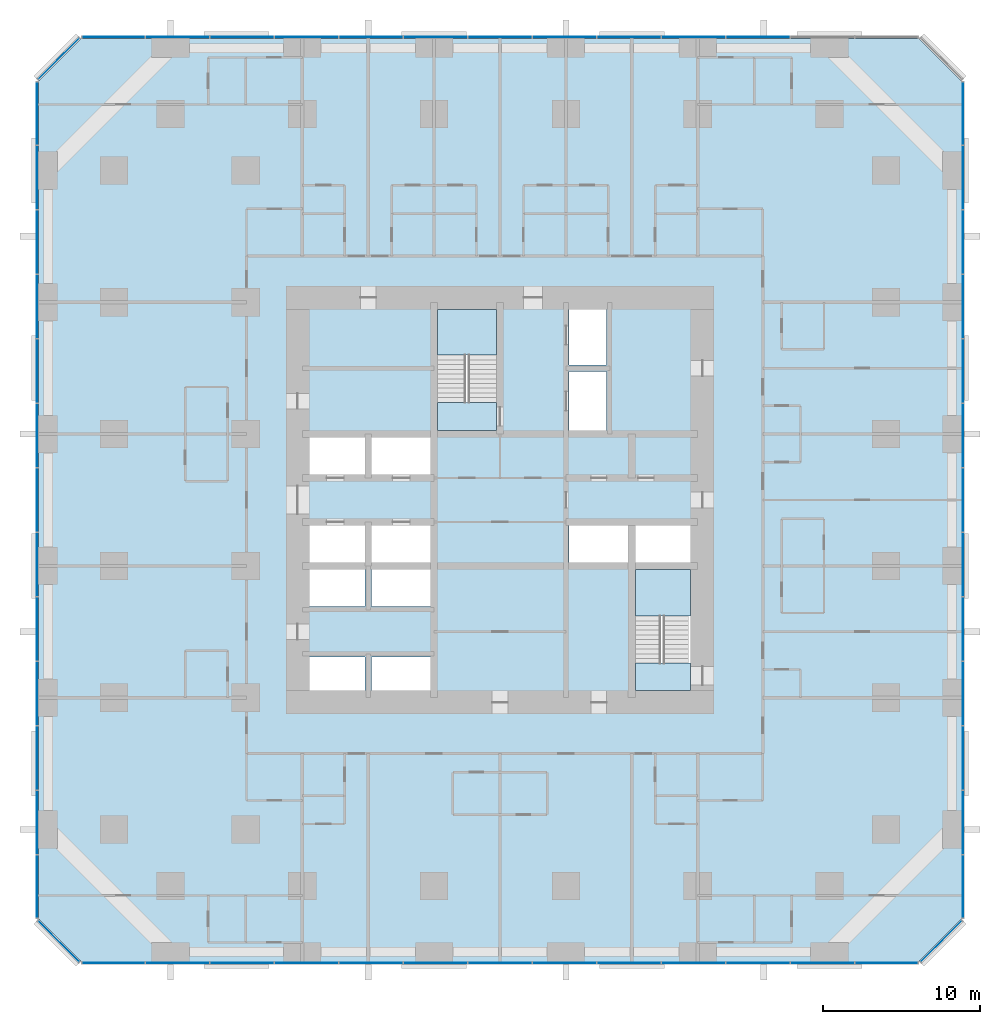
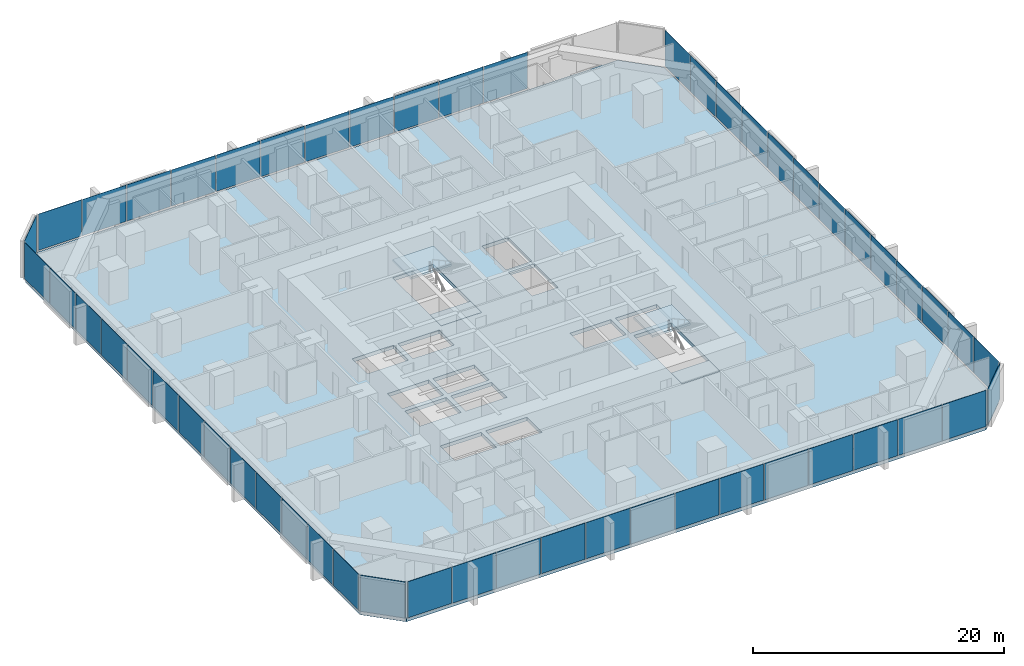
# One storey, part 9 of 17: 53 plates, 5 slabs, 9 elements without a shape of their own.
"""IFC4 building model written with IfcOpenShell, lengths in metres."""

from ifc_helpers import new_model, si_unit, direction, frame, origin, origin_2d, place, context, subcontext, project, spatial, polyline, rectangle, outline, extrude, material, layer, layer_set, type_object, element, aggregate, save


model = new_model("IFC4")

# Units and contexts
model_context = context("Model", 3, precision=1e-05, world=origin(), true_north=direction((0.0, 1.0)))
body_context = subcontext(model_context, "Body", "Model", "MODEL_VIEW")
ifc_project = project(units=[si_unit("LENGTHUNIT", "METRE"), si_unit("AREAUNIT", "SQUARE_METRE"), si_unit("VOLUMEUNIT", "CUBIC_METRE"), si_unit("PLANEANGLEUNIT", "RADIAN"), si_unit("MASSUNIT", "GRAM", prefix="KILO")], contexts=[model_context])

# Site, building, storey
site_placement = place(None, origin())
site = spatial("IfcSite", under=ifc_project, at=site_placement, CompositionType="ELEMENT")
building_placement = place(site_placement, origin())
building = spatial("IfcBuilding", under=site, at=building_placement, Name="Dunama Terrace Hotel", CompositionType="ELEMENT")
storey_placement = place(building_placement, frame((0.0, 0.0, 63.0)))
storey = spatial("IfcBuildingStorey", under=building, at=storey_placement, Name="L15", CompositionType="ELEMENT", Elevation=63.0)

# Curtain wall, plates
ifc_material_1 = material(Name="Aluminium curtain wall system", Category="aluminium")
curtain_wall_type = type_object("IfcCurtainWallType", Name="Unitised fritted glass wall CW-A", PredefinedType="NOTDEFINED", material=ifc_material_1)
curtain_wall_1_placement = place(storey_placement, origin())
curtain_wall_1 = element("IfcCurtainWall", 1, at=curtain_wall_1_placement, inside=storey, type_object=curtain_wall_type, Name="Unitised fritted glass wall CW-A L15", PredefinedType="NOTDEFINED")
ifc_material_2 = material(Name="Laminated glass", Category="glass")
ifc_layer_1 = layer(ifc_material_2, 0.030029296875)
ifc_layer_set_1 = layer_set([ifc_layer_1], Name="CWA clear glass panel")
plate_type_1 = type_object("IfcPlateType", Name="CWA clear glass panel", PredefinedType="CURTAIN_PANEL", material=ifc_layer_set_1)
plate_1_placement = place(storey_placement, frame((4.77001953125, -0.10009765625, 0.074951171875), z_axis=(0.0, 0.0, 1.0), x_axis=(1.0, 0.0, 0.0)))
plate_1 = element("IfcPlate", 2, at=plate_1_placement, type_object=plate_type_1, Name="CWA clear glass panel", PredefinedType="CURTAIN_PANEL", context=body_context, shape_type="SweptSolid", body=[
    extrude(rectangle(XDim=4.01025390625, YDim=0.030029296875, at=origin_2d()), origin(), (0.0, 0.0, 1.0), 3.52490234375),
])
plate_2_placement = place(storey_placement, frame((17.076904296875, -0.10009765625, 0.074951171875), z_axis=(0.0, 0.0, 1.0), x_axis=(1.0, 0.0, 0.0)))
plate_2 = element("IfcPlate", 3, at=plate_2_placement, type_object=plate_type_1, Name="CWA clear glass panel", PredefinedType="CURTAIN_PANEL", context=body_context, shape_type="SweptSolid", body=[
    extrude(rectangle(XDim=4.042724609375, YDim=0.030029296875, at=origin_2d()), origin(), (0.0, 0.0, 1.0), 3.52490234375),
])
plate_3_placement = place(storey_placement, frame((29.39990234375, -0.10009765625, 0.074951171875), z_axis=(0.0, 0.0, 1.0), x_axis=(1.0, 0.0, 0.0)))
plate_3 = element("IfcPlate", 4, at=plate_3_placement, type_object=plate_type_1, Name="CWA clear glass panel", PredefinedType="CURTAIN_PANEL", context=body_context, shape_type="SweptSolid", body=[
    extrude(rectangle(XDim=4.042724609375, YDim=0.030029296875, at=origin_2d()), origin(), (0.0, 0.0, 1.0), 3.52490234375),
])
plate_4_placement = place(storey_placement, frame((41.722900390625, -0.10009765625, 0.074951171875), z_axis=(0.0, 0.0, 1.0), x_axis=(1.0, 0.0, 0.0)))
plate_4 = element("IfcPlate", 5, at=plate_4_placement, type_object=plate_type_1, Name="CWA clear glass panel", PredefinedType="CURTAIN_PANEL", context=body_context, shape_type="SweptSolid", body=[
    extrude(rectangle(XDim=4.042724609375, YDim=0.030029296875, at=origin_2d()), origin(), (0.0, 0.0, 1.0), 3.52490234375),
])
plate_5_placement = place(storey_placement, frame((54.030029296875, -0.10009765625, 0.074951171875), z_axis=(0.0, 0.0, 1.0), x_axis=(1.0, 0.0, 0.0)))
plate_5 = element("IfcPlate", 6, at=plate_5_placement, type_object=plate_type_1, Name="CWA clear glass panel", PredefinedType="CURTAIN_PANEL", context=body_context, shape_type="SweptSolid", body=[
    extrude(rectangle(XDim=4.01025390625, YDim=0.030029296875, at=origin_2d()), origin(), (0.0, 0.0, 1.0), 3.52490234375),
])

curtain_wall_2_placement = place(storey_placement, origin())
curtain_wall_2 = element("IfcCurtainWall", 7, at=curtain_wall_2_placement, inside=storey, type_object=curtain_wall_type, Name="Unitised fritted glass wall CW-A L15", PredefinedType="NOTDEFINED")
plate_6_placement = place(storey_placement, frame((58.89990234375, 8.862060546875, 0.074951171875), z_axis=(0.0, 0.0, 1.0), x_axis=(0.0, 1.0, 0.0)))
plate_6 = element("IfcPlate", 8, at=plate_6_placement, type_object=plate_type_1, Name="CWA clear glass panel", PredefinedType="CURTAIN_PANEL", context=body_context, shape_type="SweptSolid", body=[
    extrude(rectangle(XDim=4.042724609375, YDim=0.030029296875, at=origin_2d()), origin(), (0.0, 0.0, 1.0), 3.52490234375),
])
plate_7_placement = place(storey_placement, frame((58.89990234375, 21.18505859375, 0.074951171875), z_axis=(0.0, 0.0, 1.0), x_axis=(0.0, 1.0, 0.0)))
plate_7 = element("IfcPlate", 9, at=plate_7_placement, type_object=plate_type_1, Name="CWA clear glass panel", PredefinedType="CURTAIN_PANEL", context=body_context, shape_type="SweptSolid", body=[
    extrude(rectangle(XDim=4.042724609375, YDim=0.030029296875, at=origin_2d()), origin(), (0.0, 0.0, 1.0), 3.52490234375),
])
plate_8_placement = place(storey_placement, frame((58.89990234375, 33.508056640625, 0.074951171875), z_axis=(0.0, 0.0, 1.0), x_axis=(0.0, 1.0, 0.0)))
plate_8 = element("IfcPlate", 10, at=plate_8_placement, type_object=plate_type_1, Name="CWA clear glass panel", PredefinedType="CURTAIN_PANEL", context=body_context, shape_type="SweptSolid", body=[
    extrude(rectangle(XDim=4.042724609375, YDim=0.030029296875, at=origin_2d()), origin(), (0.0, 0.0, 1.0), 3.52490234375),
])
plate_9_placement = place(storey_placement, frame((58.89990234375, 45.8310546875, 0.074951171875), z_axis=(0.0, 0.0, 1.0), x_axis=(0.0, 1.0, 0.0)))
plate_9 = element("IfcPlate", 11, at=plate_9_placement, type_object=plate_type_1, Name="CWA clear glass panel", PredefinedType="CURTAIN_PANEL", context=body_context, shape_type="SweptSolid", body=[
    extrude(rectangle(XDim=4.042724609375, YDim=0.030029296875, at=origin_2d()), origin(), (0.0, 0.0, 1.0), 3.52490234375),
])

curtain_wall_3_placement = place(storey_placement, origin())
curtain_wall_3 = element("IfcCurtainWall", 12, at=curtain_wall_3_placement, inside=storey, type_object=curtain_wall_type, Name="Unitised fritted glass wall CW-A L15", PredefinedType="NOTDEFINED")
plate_10_placement = place(storey_placement, frame((45.8310546875, 58.89990234375, 0.074951171875), z_axis=(0.0, 0.0, 1.0), x_axis=(-1.0, 0.0, 0.0)))
plate_10 = element("IfcPlate", 13, at=plate_10_placement, type_object=plate_type_1, Name="CWA clear glass panel", PredefinedType="CURTAIN_PANEL", context=body_context, shape_type="SweptSolid", body=[
    extrude(rectangle(XDim=4.042724609375, YDim=0.030029296875, at=origin_2d()), origin(), (0.0, 0.0, 1.0), 3.52490234375),
])
plate_11_placement = place(storey_placement, frame((33.508056640625, 58.89990234375, 0.074951171875), z_axis=(0.0, 0.0, 1.0), x_axis=(-1.0, 0.0, 0.0)))
plate_11 = element("IfcPlate", 14, at=plate_11_placement, type_object=plate_type_1, Name="CWA clear glass panel", PredefinedType="CURTAIN_PANEL", context=body_context, shape_type="SweptSolid", body=[
    extrude(rectangle(XDim=4.042724609375, YDim=0.030029296875, at=origin_2d()), origin(), (0.0, 0.0, 1.0), 3.52490234375),
])
plate_12_placement = place(storey_placement, frame((21.18505859375, 58.89990234375, 0.074951171875), z_axis=(0.0, 0.0, 1.0), x_axis=(-1.0, 0.0, 0.0)))
plate_12 = element("IfcPlate", 15, at=plate_12_placement, type_object=plate_type_1, Name="CWA clear glass panel", PredefinedType="CURTAIN_PANEL", context=body_context, shape_type="SweptSolid", body=[
    extrude(rectangle(XDim=4.042724609375, YDim=0.030029296875, at=origin_2d()), origin(), (0.0, 0.0, 1.0), 3.52490234375),
])
plate_13_placement = place(storey_placement, frame((8.862060546875, 58.89990234375, 0.074951171875), z_axis=(0.0, 0.0, 1.0), x_axis=(-1.0, 0.0, 0.0)))
plate_13 = element("IfcPlate", 16, at=plate_13_placement, type_object=plate_type_1, Name="CWA clear glass panel", PredefinedType="CURTAIN_PANEL", context=body_context, shape_type="SweptSolid", body=[
    extrude(rectangle(XDim=4.042724609375, YDim=0.030029296875, at=origin_2d()), origin(), (0.0, 0.0, 1.0), 3.52490234375),
])

curtain_wall_4_placement = place(storey_placement, origin())
curtain_wall_4 = element("IfcCurtainWall", 17, at=curtain_wall_4_placement, inside=storey, type_object=curtain_wall_type, Name="Unitised fritted glass wall CW-A L15", PredefinedType="NOTDEFINED")
plate_14_placement = place(storey_placement, frame((-0.10009765625, 54.030029296875, 0.074951171875), z_axis=(0.0, 0.0, 1.0), x_axis=(0.0, -1.0, 0.0)))
plate_14 = element("IfcPlate", 18, at=plate_14_placement, type_object=plate_type_1, Name="CWA clear glass panel", PredefinedType="CURTAIN_PANEL", context=body_context, shape_type="SweptSolid", body=[
    extrude(rectangle(XDim=4.01025390625, YDim=0.030029296875, at=origin_2d()), origin(), (0.0, 0.0, 1.0), 3.52490234375),
])
plate_15_placement = place(storey_placement, frame((-0.10009765625, 41.722900390625, 0.074951171875), z_axis=(0.0, 0.0, 1.0), x_axis=(0.0, -1.0, 0.0)))
plate_15 = element("IfcPlate", 19, at=plate_15_placement, type_object=plate_type_1, Name="CWA clear glass panel", PredefinedType="CURTAIN_PANEL", context=body_context, shape_type="SweptSolid", body=[
    extrude(rectangle(XDim=4.042724609375, YDim=0.030029296875, at=origin_2d()), origin(), (0.0, 0.0, 1.0), 3.52490234375),
])
plate_16_placement = place(storey_placement, frame((-0.10009765625, 29.39990234375, 0.074951171875), z_axis=(0.0, 0.0, 1.0), x_axis=(0.0, -1.0, 0.0)))
plate_16 = element("IfcPlate", 20, at=plate_16_placement, type_object=plate_type_1, Name="CWA clear glass panel", PredefinedType="CURTAIN_PANEL", context=body_context, shape_type="SweptSolid", body=[
    extrude(rectangle(XDim=4.042724609375, YDim=0.030029296875, at=origin_2d()), origin(), (0.0, 0.0, 1.0), 3.52490234375),
])
plate_17_placement = place(storey_placement, frame((-0.10009765625, 17.076904296875, 0.074951171875), z_axis=(0.0, 0.0, 1.0), x_axis=(0.0, -1.0, 0.0)))
plate_17 = element("IfcPlate", 21, at=plate_17_placement, type_object=plate_type_1, Name="CWA clear glass panel", PredefinedType="CURTAIN_PANEL", context=body_context, shape_type="SweptSolid", body=[
    extrude(rectangle(XDim=4.042724609375, YDim=0.030029296875, at=origin_2d()), origin(), (0.0, 0.0, 1.0), 3.52490234375),
])
plate_18_placement = place(storey_placement, frame((-0.10009765625, 4.77001953125, 0.074951171875), z_axis=(0.0, 0.0, 1.0), x_axis=(0.0, -1.0, 0.0)))
plate_18 = element("IfcPlate", 22, at=plate_18_placement, type_object=plate_type_1, Name="CWA clear glass panel", PredefinedType="CURTAIN_PANEL", context=body_context, shape_type="SweptSolid", body=[
    extrude(rectangle(XDim=4.01025390625, YDim=0.030029296875, at=origin_2d()), origin(), (0.0, 0.0, 1.0), 3.52490234375),
])

# Plate
ifc_material_3 = material(Name="Fritted laminated glass", Category="glass")
ifc_layer_2 = layer(ifc_material_3, 0.030029296875)
ifc_layer_set_2 = layer_set([ifc_layer_2], Name="CWA fritted glass panel")
plate_type_2 = type_object("IfcPlateType", Name="CWA fritted glass panel", PredefinedType="CURTAIN_PANEL", material=ifc_layer_set_2)
plate_19_placement = place(storey_placement, frame((12.968994140625, -0.10009765625, 0.074951171875), z_axis=(0.0, 0.0, 1.0), x_axis=(1.0, 0.0, 0.0)))
plate_19 = element("IfcPlate", 23, at=plate_19_placement, type_object=plate_type_2, Name="CWA fritted glass panel", PredefinedType="CURTAIN_PANEL", context=body_context, shape_type="SweptSolid", body=[
    extrude(rectangle(XDim=4.042724609375, YDim=0.030029296875, at=origin_2d()), origin(), (0.0, 0.0, 1.0), 3.52490234375),
])

plate_20_placement = place(storey_placement, frame((25.2919921875, -0.10009765625, 0.074951171875), z_axis=(0.0, 0.0, 1.0), x_axis=(1.0, 0.0, 0.0)))
plate_20 = element("IfcPlate", 24, at=plate_20_placement, type_object=plate_type_2, Name="CWA fritted glass panel", PredefinedType="CURTAIN_PANEL", context=body_context, shape_type="SweptSolid", body=[
    extrude(rectangle(XDim=4.042724609375, YDim=0.030029296875, at=origin_2d()), origin(), (0.0, 0.0, 1.0), 3.52490234375),
])

plate_21_placement = place(storey_placement, frame((37.614990234375, -0.10009765625, 0.074951171875), z_axis=(0.0, 0.0, 1.0), x_axis=(1.0, 0.0, 0.0)))
plate_21 = element("IfcPlate", 25, at=plate_21_placement, type_object=plate_type_2, Name="CWA fritted glass panel", PredefinedType="CURTAIN_PANEL", context=body_context, shape_type="SweptSolid", body=[
    extrude(rectangle(XDim=4.042724609375, YDim=0.030029296875, at=origin_2d()), origin(), (0.0, 0.0, 1.0), 3.52490234375),
])

plate_22_placement = place(storey_placement, frame((49.93798828125, -0.10009765625, 0.074951171875), z_axis=(0.0, 0.0, 1.0), x_axis=(1.0, 0.0, 0.0)))
plate_22 = element("IfcPlate", 26, at=plate_22_placement, type_object=plate_type_2, Name="CWA fritted glass panel", PredefinedType="CURTAIN_PANEL", context=body_context, shape_type="SweptSolid", body=[
    extrude(rectangle(XDim=4.042724609375, YDim=0.030029296875, at=origin_2d()), origin(), (0.0, 0.0, 1.0), 3.52490234375),
])

plate_23_placement = place(storey_placement, frame((58.89990234375, 4.77001953125, 0.074951171875), z_axis=(0.0, 0.0, 1.0), x_axis=(0.0, 1.0, 0.0)))
plate_23 = element("IfcPlate", 27, at=plate_23_placement, type_object=plate_type_2, Name="CWA fritted glass panel", PredefinedType="CURTAIN_PANEL", context=body_context, shape_type="SweptSolid", body=[
    extrude(rectangle(XDim=4.01025390625, YDim=0.030029296875, at=origin_2d()), origin(), (0.0, 0.0, 1.0), 3.52490234375),
])

plate_24_placement = place(storey_placement, frame((58.89990234375, 17.076904296875, 0.074951171875), z_axis=(0.0, 0.0, 1.0), x_axis=(0.0, 1.0, 0.0)))
plate_24 = element("IfcPlate", 28, at=plate_24_placement, type_object=plate_type_2, Name="CWA fritted glass panel", PredefinedType="CURTAIN_PANEL", context=body_context, shape_type="SweptSolid", body=[
    extrude(rectangle(XDim=4.042724609375, YDim=0.030029296875, at=origin_2d()), origin(), (0.0, 0.0, 1.0), 3.52490234375),
])

plate_25_placement = place(storey_placement, frame((58.89990234375, 29.39990234375, 0.074951171875), z_axis=(0.0, 0.0, 1.0), x_axis=(0.0, 1.0, 0.0)))
plate_25 = element("IfcPlate", 29, at=plate_25_placement, type_object=plate_type_2, Name="CWA fritted glass panel", PredefinedType="CURTAIN_PANEL", context=body_context, shape_type="SweptSolid", body=[
    extrude(rectangle(XDim=4.042724609375, YDim=0.030029296875, at=origin_2d()), origin(), (0.0, 0.0, 1.0), 3.52490234375),
])

plate_26_placement = place(storey_placement, frame((58.89990234375, 41.722900390625, 0.074951171875), z_axis=(0.0, 0.0, 1.0), x_axis=(0.0, 1.0, 0.0)))
plate_26 = element("IfcPlate", 30, at=plate_26_placement, type_object=plate_type_2, Name="CWA fritted glass panel", PredefinedType="CURTAIN_PANEL", context=body_context, shape_type="SweptSolid", body=[
    extrude(rectangle(XDim=4.042724609375, YDim=0.030029296875, at=origin_2d()), origin(), (0.0, 0.0, 1.0), 3.52490234375),
])

plate_27_placement = place(storey_placement, frame((58.89990234375, 54.030029296875, 0.074951171875), z_axis=(0.0, 0.0, 1.0), x_axis=(0.0, 1.0, 0.0)))
plate_27 = element("IfcPlate", 31, at=plate_27_placement, type_object=plate_type_2, Name="CWA fritted glass panel", PredefinedType="CURTAIN_PANEL", context=body_context, shape_type="SweptSolid", body=[
    extrude(rectangle(XDim=4.01025390625, YDim=0.030029296875, at=origin_2d()), origin(), (0.0, 0.0, 1.0), 3.52490234375),
])

plate_28_placement = place(storey_placement, frame((37.614990234375, 58.89990234375, 0.074951171875), z_axis=(0.0, 0.0, 1.0), x_axis=(-1.0, 0.0, 0.0)))
plate_28 = element("IfcPlate", 32, at=plate_28_placement, type_object=plate_type_2, Name="CWA fritted glass panel", PredefinedType="CURTAIN_PANEL", context=body_context, shape_type="SweptSolid", body=[
    extrude(rectangle(XDim=4.042724609375, YDim=0.030029296875, at=origin_2d()), origin(), (0.0, 0.0, 1.0), 3.52490234375),
])

plate_29_placement = place(storey_placement, frame((25.2919921875, 58.89990234375, 0.074951171875), z_axis=(0.0, 0.0, 1.0), x_axis=(-1.0, 0.0, 0.0)))
plate_29 = element("IfcPlate", 33, at=plate_29_placement, type_object=plate_type_2, Name="CWA fritted glass panel", PredefinedType="CURTAIN_PANEL", context=body_context, shape_type="SweptSolid", body=[
    extrude(rectangle(XDim=4.042724609375, YDim=0.030029296875, at=origin_2d()), origin(), (0.0, 0.0, 1.0), 3.52490234375),
])

plate_30_placement = place(storey_placement, frame((12.968994140625, 58.89990234375, 0.074951171875), z_axis=(0.0, 0.0, 1.0), x_axis=(-1.0, 0.0, 0.0)))
plate_30 = element("IfcPlate", 34, at=plate_30_placement, type_object=plate_type_2, Name="CWA fritted glass panel", PredefinedType="CURTAIN_PANEL", context=body_context, shape_type="SweptSolid", body=[
    extrude(rectangle(XDim=4.042724609375, YDim=0.030029296875, at=origin_2d()), origin(), (0.0, 0.0, 1.0), 3.52490234375),
])

# Curtain wall, plate
curtain_wall_5_placement = place(storey_placement, origin())
curtain_wall_5 = element("IfcCurtainWall", 35, at=curtain_wall_5_placement, inside=storey, type_object=curtain_wall_type, Name="Unitised fritted glass wall CW-A L15", PredefinedType="NOTDEFINED")
plate_31_placement = place(storey_placement, frame((1.279052734375, 57.52099609375, 0.074951171875), z_axis=(0.0, 0.0, 1.0), x_axis=(-0.707106781187, -0.707106781187, 0.0)))
plate_31 = element("IfcPlate", 36, at=plate_31_placement, type_object=plate_type_2, Name="CWA fritted glass panel", PredefinedType="CURTAIN_PANEL", context=body_context, shape_type="SweptSolid", body=[
    extrude(rectangle(XDim=3.6884765625, YDim=0.030029296875, at=origin_2d()), origin(), (0.0, 0.0, 1.0), 3.52490234375),
])
aggregate(curtain_wall_5, [plate_31])

# Plate
plate_32_placement = place(storey_placement, frame((-0.10009765625, 45.8310546875, 0.074951171875), z_axis=(0.0, 0.0, 1.0), x_axis=(0.0, -1.0, 0.0)))
plate_32 = element("IfcPlate", 37, at=plate_32_placement, type_object=plate_type_2, Name="CWA fritted glass panel", PredefinedType="CURTAIN_PANEL", context=body_context, shape_type="SweptSolid", body=[
    extrude(rectangle(XDim=4.042724609375, YDim=0.030029296875, at=origin_2d()), origin(), (0.0, 0.0, 1.0), 3.52490234375),
])

plate_33_placement = place(storey_placement, frame((-0.10009765625, 33.508056640625, 0.074951171875), z_axis=(0.0, 0.0, 1.0), x_axis=(0.0, -1.0, 0.0)))
plate_33 = element("IfcPlate", 38, at=plate_33_placement, type_object=plate_type_2, Name="CWA fritted glass panel", PredefinedType="CURTAIN_PANEL", context=body_context, shape_type="SweptSolid", body=[
    extrude(rectangle(XDim=4.042724609375, YDim=0.030029296875, at=origin_2d()), origin(), (0.0, 0.0, 1.0), 3.52490234375),
])

plate_34_placement = place(storey_placement, frame((-0.10009765625, 21.18505859375, 0.074951171875), z_axis=(0.0, 0.0, 1.0), x_axis=(0.0, -1.0, 0.0)))
plate_34 = element("IfcPlate", 39, at=plate_34_placement, type_object=plate_type_2, Name="CWA fritted glass panel", PredefinedType="CURTAIN_PANEL", context=body_context, shape_type="SweptSolid", body=[
    extrude(rectangle(XDim=4.042724609375, YDim=0.030029296875, at=origin_2d()), origin(), (0.0, 0.0, 1.0), 3.52490234375),
])

plate_35_placement = place(storey_placement, frame((-0.10009765625, 8.862060546875, 0.074951171875), z_axis=(0.0, 0.0, 1.0), x_axis=(0.0, -1.0, 0.0)))
plate_35 = element("IfcPlate", 40, at=plate_35_placement, type_object=plate_type_2, Name="CWA fritted glass panel", PredefinedType="CURTAIN_PANEL", context=body_context, shape_type="SweptSolid", body=[
    extrude(rectangle(XDim=4.042724609375, YDim=0.030029296875, at=origin_2d()), origin(), (0.0, 0.0, 1.0), 3.52490234375),
])

ifc_material_4 = material(Name="Laminated glass", Category="glass")
ifc_layer_3 = layer(ifc_material_4, 0.030029296875)
ifc_layer_set_3 = layer_set([ifc_layer_3], Name="CWA operable glass panel")
plate_type_3 = type_object("IfcPlateType", Name="CWA operable glass panel", PredefinedType="CURTAIN_PANEL", material=ifc_layer_set_3)
plate_36_placement = place(storey_placement, frame((8.862060546875, -0.10009765625, 0.074951171875), z_axis=(0.0, 0.0, 1.0), x_axis=(1.0, 0.0, 0.0)))
plate_36 = element("IfcPlate", 41, at=plate_36_placement, type_object=plate_type_3, Name="CWA operable glass panel", PredefinedType="CURTAIN_PANEL", context=body_context, shape_type="SweptSolid", body=[
    extrude(rectangle(XDim=4.042724609375, YDim=0.030029296875, at=origin_2d()), origin(), (0.0, 0.0, 1.0), 3.52490234375),
])

plate_37_placement = place(storey_placement, frame((21.18505859375, -0.10009765625, 0.074951171875), z_axis=(0.0, 0.0, 1.0), x_axis=(1.0, 0.0, 0.0)))
plate_37 = element("IfcPlate", 42, at=plate_37_placement, type_object=plate_type_3, Name="CWA operable glass panel", PredefinedType="CURTAIN_PANEL", context=body_context, shape_type="SweptSolid", body=[
    extrude(rectangle(XDim=4.042724609375, YDim=0.030029296875, at=origin_2d()), origin(), (0.0, 0.0, 1.0), 3.52490234375),
])

plate_38_placement = place(storey_placement, frame((33.508056640625, -0.10009765625, 0.074951171875), z_axis=(0.0, 0.0, 1.0), x_axis=(1.0, 0.0, 0.0)))
plate_38 = element("IfcPlate", 43, at=plate_38_placement, type_object=plate_type_3, Name="CWA operable glass panel", PredefinedType="CURTAIN_PANEL", context=body_context, shape_type="SweptSolid", body=[
    extrude(rectangle(XDim=4.042724609375, YDim=0.030029296875, at=origin_2d()), origin(), (0.0, 0.0, 1.0), 3.52490234375),
])

plate_39_placement = place(storey_placement, frame((45.8310546875, -0.10009765625, 0.074951171875), z_axis=(0.0, 0.0, 1.0), x_axis=(1.0, 0.0, 0.0)))
plate_39 = element("IfcPlate", 44, at=plate_39_placement, type_object=plate_type_3, Name="CWA operable glass panel", PredefinedType="CURTAIN_PANEL", context=body_context, shape_type="SweptSolid", body=[
    extrude(rectangle(XDim=4.042724609375, YDim=0.030029296875, at=origin_2d()), origin(), (0.0, 0.0, 1.0), 3.52490234375),
])

aggregate(curtain_wall_1, [plate_1, plate_36, plate_19, plate_2, plate_37, plate_20, plate_3, plate_38, plate_21, plate_4, plate_39, plate_22, plate_5])

# Curtain wall, plate
curtain_wall_6_placement = place(storey_placement, origin())
curtain_wall_6 = element("IfcCurtainWall", 45, at=curtain_wall_6_placement, inside=storey, type_object=curtain_wall_type, Name="Unitised fritted glass wall CW-A L15", PredefinedType="NOTDEFINED")
plate_40_placement = place(storey_placement, frame((57.52099609375, 1.279052734375, 0.074951171875), z_axis=(0.0, 0.0, 1.0), x_axis=(0.707106781187, 0.707106781187, 0.0)))
plate_40 = element("IfcPlate", 46, at=plate_40_placement, type_object=plate_type_3, Name="CWA operable glass panel", PredefinedType="CURTAIN_PANEL", context=body_context, shape_type="SweptSolid", body=[
    extrude(rectangle(XDim=3.6884765625, YDim=0.030029296875, at=origin_2d()), origin(), (0.0, 0.0, 1.0), 3.52490234375),
])
aggregate(curtain_wall_6, [plate_40])

# Plate
plate_41_placement = place(storey_placement, frame((58.89990234375, 12.968994140625, 0.074951171875), z_axis=(0.0, 0.0, 1.0), x_axis=(0.0, 1.0, 0.0)))
plate_41 = element("IfcPlate", 47, at=plate_41_placement, type_object=plate_type_3, Name="CWA operable glass panel", PredefinedType="CURTAIN_PANEL", context=body_context, shape_type="SweptSolid", body=[
    extrude(rectangle(XDim=4.042724609375, YDim=0.030029296875, at=origin_2d()), origin(), (0.0, 0.0, 1.0), 3.52490234375),
])

plate_42_placement = place(storey_placement, frame((58.89990234375, 25.2919921875, 0.074951171875), z_axis=(0.0, 0.0, 1.0), x_axis=(0.0, 1.0, 0.0)))
plate_42 = element("IfcPlate", 48, at=plate_42_placement, type_object=plate_type_3, Name="CWA operable glass panel", PredefinedType="CURTAIN_PANEL", context=body_context, shape_type="SweptSolid", body=[
    extrude(rectangle(XDim=4.042724609375, YDim=0.030029296875, at=origin_2d()), origin(), (0.0, 0.0, 1.0), 3.52490234375),
])

plate_43_placement = place(storey_placement, frame((58.89990234375, 37.614990234375, 0.074951171875), z_axis=(0.0, 0.0, 1.0), x_axis=(0.0, 1.0, 0.0)))
plate_43 = element("IfcPlate", 49, at=plate_43_placement, type_object=plate_type_3, Name="CWA operable glass panel", PredefinedType="CURTAIN_PANEL", context=body_context, shape_type="SweptSolid", body=[
    extrude(rectangle(XDim=4.042724609375, YDim=0.030029296875, at=origin_2d()), origin(), (0.0, 0.0, 1.0), 3.52490234375),
])

plate_44_placement = place(storey_placement, frame((58.89990234375, 49.93798828125, 0.074951171875), z_axis=(0.0, 0.0, 1.0), x_axis=(0.0, 1.0, 0.0)))
plate_44 = element("IfcPlate", 50, at=plate_44_placement, type_object=plate_type_3, Name="CWA operable glass panel", PredefinedType="CURTAIN_PANEL", context=body_context, shape_type="SweptSolid", body=[
    extrude(rectangle(XDim=4.042724609375, YDim=0.030029296875, at=origin_2d()), origin(), (0.0, 0.0, 1.0), 3.52490234375),
])

aggregate(curtain_wall_2, [plate_23, plate_6, plate_41, plate_24, plate_7, plate_42, plate_25, plate_8, plate_43, plate_26, plate_9, plate_44, plate_27])

plate_45_placement = place(storey_placement, frame((41.722900390625, 58.89990234375, 0.074951171875), z_axis=(0.0, 0.0, 1.0), x_axis=(-1.0, 0.0, 0.0)))
plate_45 = element("IfcPlate", 51, at=plate_45_placement, type_object=plate_type_3, Name="CWA operable glass panel", PredefinedType="CURTAIN_PANEL", context=body_context, shape_type="SweptSolid", body=[
    extrude(rectangle(XDim=4.042724609375, YDim=0.030029296875, at=origin_2d()), origin(), (0.0, 0.0, 1.0), 3.52490234375),
])

plate_46_placement = place(storey_placement, frame((29.39990234375, 58.89990234375, 0.074951171875), z_axis=(0.0, 0.0, 1.0), x_axis=(-1.0, 0.0, 0.0)))
plate_46 = element("IfcPlate", 52, at=plate_46_placement, type_object=plate_type_3, Name="CWA operable glass panel", PredefinedType="CURTAIN_PANEL", context=body_context, shape_type="SweptSolid", body=[
    extrude(rectangle(XDim=4.042724609375, YDim=0.030029296875, at=origin_2d()), origin(), (0.0, 0.0, 1.0), 3.52490234375),
])

plate_47_placement = place(storey_placement, frame((17.076904296875, 58.89990234375, 0.074951171875), z_axis=(0.0, 0.0, 1.0), x_axis=(-1.0, 0.0, 0.0)))
plate_47 = element("IfcPlate", 53, at=plate_47_placement, type_object=plate_type_3, Name="CWA operable glass panel", PredefinedType="CURTAIN_PANEL", context=body_context, shape_type="SweptSolid", body=[
    extrude(rectangle(XDim=4.042724609375, YDim=0.030029296875, at=origin_2d()), origin(), (0.0, 0.0, 1.0), 3.52490234375),
])

plate_48_placement = place(storey_placement, frame((4.77001953125, 58.89990234375, 0.074951171875), z_axis=(0.0, 0.0, 1.0), x_axis=(-1.0, 0.0, 0.0)))
plate_48 = element("IfcPlate", 54, at=plate_48_placement, type_object=plate_type_3, Name="CWA operable glass panel", PredefinedType="CURTAIN_PANEL", context=body_context, shape_type="SweptSolid", body=[
    extrude(rectangle(XDim=4.01025390625, YDim=0.030029296875, at=origin_2d()), origin(), (0.0, 0.0, 1.0), 3.52490234375),
])

aggregate(curtain_wall_3, [plate_10, plate_45, plate_28, plate_11, plate_46, plate_29, plate_12, plate_47, plate_30, plate_13, plate_48])

plate_49_placement = place(storey_placement, frame((-0.10009765625, 49.93798828125, 0.074951171875), z_axis=(0.0, 0.0, 1.0), x_axis=(0.0, -1.0, 0.0)))
plate_49 = element("IfcPlate", 55, at=plate_49_placement, type_object=plate_type_3, Name="CWA operable glass panel", PredefinedType="CURTAIN_PANEL", context=body_context, shape_type="SweptSolid", body=[
    extrude(rectangle(XDim=4.042724609375, YDim=0.030029296875, at=origin_2d()), origin(), (0.0, 0.0, 1.0), 3.52490234375),
])

plate_50_placement = place(storey_placement, frame((-0.10009765625, 37.614990234375, 0.074951171875), z_axis=(0.0, 0.0, 1.0), x_axis=(0.0, -1.0, 0.0)))
plate_50 = element("IfcPlate", 56, at=plate_50_placement, type_object=plate_type_3, Name="CWA operable glass panel", PredefinedType="CURTAIN_PANEL", context=body_context, shape_type="SweptSolid", body=[
    extrude(rectangle(XDim=4.042724609375, YDim=0.030029296875, at=origin_2d()), origin(), (0.0, 0.0, 1.0), 3.52490234375),
])

plate_51_placement = place(storey_placement, frame((-0.10009765625, 25.2919921875, 0.074951171875), z_axis=(0.0, 0.0, 1.0), x_axis=(0.0, -1.0, 0.0)))
plate_51 = element("IfcPlate", 57, at=plate_51_placement, type_object=plate_type_3, Name="CWA operable glass panel", PredefinedType="CURTAIN_PANEL", context=body_context, shape_type="SweptSolid", body=[
    extrude(rectangle(XDim=4.042724609375, YDim=0.030029296875, at=origin_2d()), origin(), (0.0, 0.0, 1.0), 3.52490234375),
])

plate_52_placement = place(storey_placement, frame((-0.10009765625, 12.968994140625, 0.074951171875), z_axis=(0.0, 0.0, 1.0), x_axis=(0.0, -1.0, 0.0)))
plate_52 = element("IfcPlate", 58, at=plate_52_placement, type_object=plate_type_3, Name="CWA operable glass panel", PredefinedType="CURTAIN_PANEL", context=body_context, shape_type="SweptSolid", body=[
    extrude(rectangle(XDim=4.042724609375, YDim=0.030029296875, at=origin_2d()), origin(), (0.0, 0.0, 1.0), 3.52490234375),
])

aggregate(curtain_wall_4, [plate_14, plate_49, plate_32, plate_15, plate_50, plate_33, plate_16, plate_51, plate_34, plate_17, plate_52, plate_35, plate_18])

# Curtain wall, plate
curtain_wall_7_placement = place(storey_placement, origin())
curtain_wall_7 = element("IfcCurtainWall", 59, at=curtain_wall_7_placement, inside=storey, type_object=curtain_wall_type, Name="Unitised fritted glass wall CW-A L15", PredefinedType="NOTDEFINED")
plate_53_placement = place(storey_placement, frame((1.279052734375, 1.279052734375, 0.074951171875), z_axis=(0.0, 0.0, 1.0), x_axis=(0.707106781187, -0.707106781187, 0.0)))
plate_53 = element("IfcPlate", 60, at=plate_53_placement, type_object=plate_type_3, Name="CWA operable glass panel", PredefinedType="CURTAIN_PANEL", context=body_context, shape_type="SweptSolid", body=[
    extrude(rectangle(XDim=3.6884765625, YDim=0.030029296875, at=origin_2d()), origin(), (0.0, 0.0, 1.0), 3.52490234375),
])
aggregate(curtain_wall_7, [plate_53])

# Slab
ifc_material_5 = material(Name="Concrete C40/50", Category="concrete")
ifc_layer_4 = layer(ifc_material_5, 0.35009765625)
ifc_layer_set_4 = layer_set([ifc_layer_4], Name="Flat plate 350")
slab_type_1 = type_object("IfcSlabType", Name="Flat plate 350", PredefinedType="FLOOR", material=ifc_layer_set_4)
slab_1_placement = place(storey_placement, frame((0.0, 0.0, -0.35009765625)))
element("IfcSlab", 61, at=slab_1_placement, inside=storey, type_object=slab_type_1, Name="Floor slab L15", PredefinedType="FLOOR", context=body_context, shape_type="SweptSolid", body=[
    extrude(outline(polyline([(2.699951171875, 0.0), (56.10009765625, 0.0), (58.800048828125, 2.699951171875), (58.800048828125, 56.10009765625), (56.10009765625, 58.800048828125), (2.699951171875, 58.800048828125), (0.0, 56.10009765625), (0.0, 2.699951171875), (2.699951171875, 0.0)]), holes=[polyline([(20.800048828125, 25.39990234375), (20.800048828125, 27.800048828125), (17.0, 27.800048828125), (17.0, 25.39990234375), (20.800048828125, 25.39990234375)]), polyline([(25.0, 25.39990234375), (25.0, 27.800048828125), (21.199951171875, 27.800048828125), (21.199951171875, 25.39990234375), (25.0, 25.39990234375)]), polyline([(20.800048828125, 31.0), (20.800048828125, 33.39990234375), (17.0, 33.39990234375), (17.0, 31.0), (20.800048828125, 31.0)]), polyline([(25.0, 31.0), (25.0, 33.39990234375), (21.199951171875, 33.39990234375), (21.199951171875, 31.0), (25.0, 31.0)]), polyline([(37.60009765625, 25.39990234375), (37.60009765625, 27.800048828125), (33.800048828125, 27.800048828125), (33.800048828125, 25.39990234375), (37.60009765625, 25.39990234375)]), polyline([(41.800048828125, 25.39990234375), (41.800048828125, 27.800048828125), (38.0, 27.800048828125), (38.0, 25.39990234375), (41.800048828125, 25.39990234375)]), polyline([(20.800048828125, 17.0), (20.800048828125, 19.39990234375), (17.0, 19.39990234375), (17.0, 17.0), (20.800048828125, 17.0)]), polyline([(25.0, 17.0), (25.0, 19.39990234375), (21.199951171875, 19.39990234375), (21.199951171875, 17.0), (25.0, 17.0)]), polyline([(20.800048828125, 22.60009765625), (20.800048828125, 25.0), (17.0, 25.0), (17.0, 22.60009765625), (20.800048828125, 22.60009765625)]), polyline([(25.0, 22.60009765625), (25.0, 25.0), (21.199951171875, 25.0), (21.199951171875, 22.60009765625), (25.0, 22.60009765625)]), polyline([(36.199951171875, 38.0), (36.199951171875, 41.800048828125), (33.800048828125, 41.800048828125), (33.800048828125, 38.0), (36.199951171875, 38.0)]), polyline([(36.199951171875, 33.800048828125), (36.199951171875, 37.60009765625), (33.800048828125, 37.60009765625), (33.800048828125, 33.800048828125), (36.199951171875, 33.800048828125)]), polyline([(29.175048828125, 33.824951171875), (29.175048828125, 41.550048828125), (25.425048828125, 41.550048828125), (25.425048828125, 33.824951171875), (29.175048828125, 33.824951171875)]), polyline([(41.550048828125, 17.25), (41.550048828125, 24.97509765625), (38.050048828125, 24.97509765625), (38.050048828125, 17.25), (41.550048828125, 17.25)])]), origin(), (0.0, 0.0, 1.0), 0.35009765625),
])

# Stair, slabs
ifc_material_6 = material(Name="Concrete C40/50", Category="concrete")
stair_type_1 = type_object("IfcStairType", Name="Stair ST1-3600-1800", PredefinedType="HALF_TURN_STAIR", material=ifc_material_6)
stair_1_placement = place(storey_placement, origin())
stair_1 = element("IfcStair", 62, at=stair_1_placement, inside=storey, type_object=stair_type_1, Name="Stair ST1 L15", PredefinedType="HALF_TURN_STAIR")
ifc_material_7 = material(Name="Concrete C40/50", Category="concrete")
ifc_layer_5 = layer(ifc_material_7, 0.199951171875)
ifc_layer_set_5 = layer_set([ifc_layer_5], Name="Stair landing 200")
slab_type_2 = type_object("IfcSlabType", Name="Stair landing 200", PredefinedType="LANDING", material=ifc_layer_set_5)
slab_2_placement = place(storey_placement, frame((0.0, 0.0, -0.199951171875)))
slab_2 = element("IfcSlab", 63, at=slab_2_placement, type_object=slab_type_2, Name="ST1 landing 1, type S10", PredefinedType="LANDING", context=body_context, shape_type="SweptSolid", body=[
    extrude(outline(polyline([(25.425048828125, 33.824951171875), (29.175048828125, 33.824951171875), (29.175048828125, 35.625), (25.425048828125, 35.625), (25.425048828125, 33.824951171875)])), origin(), (0.0, 0.0, 1.0), 0.199951171875),
])
slab_3_placement = place(storey_placement, frame((0.0, 0.0, 1.60009765625)))
slab_3 = element("IfcSlab", 64, at=slab_3_placement, type_object=slab_type_2, Name="ST1 landing 2, type S10", PredefinedType="LANDING", context=body_context, shape_type="SweptSolid", body=[
    extrude(outline(polyline([(25.425048828125, 38.625), (29.175048828125, 38.625), (29.175048828125, 41.550048828125), (25.425048828125, 41.550048828125), (25.425048828125, 38.625)])), origin(), (0.0, 0.0, 1.0), 0.199951171875),
])
aggregate(stair_1, [slab_2, slab_3])

ifc_material_8 = material(Name="Concrete C40/50", Category="concrete")
stair_type_2 = type_object("IfcStairType", Name="Stair ST2-3600-1600", PredefinedType="HALF_TURN_STAIR", material=ifc_material_8)
stair_2_placement = place(storey_placement, origin())
stair_2 = element("IfcStair", 65, at=stair_2_placement, inside=storey, type_object=stair_type_2, Name="Stair ST2 L15", PredefinedType="HALF_TURN_STAIR")
slab_4_placement = place(storey_placement, frame((0.0, 0.0, -0.199951171875)))
slab_4 = element("IfcSlab", 66, at=slab_4_placement, type_object=slab_type_2, Name="ST2 landing 1, type S10", PredefinedType="LANDING", context=body_context, shape_type="SweptSolid", body=[
    extrude(outline(polyline([(38.050048828125, 17.25), (41.550048828125, 17.25), (41.550048828125, 19.0), (38.050048828125, 19.0), (38.050048828125, 17.25)])), origin(), (0.0, 0.0, 1.0), 0.199951171875),
])
slab_5_placement = place(storey_placement, frame((0.0, 0.0, 1.60009765625)))
slab_5 = element("IfcSlab", 67, at=slab_5_placement, type_object=slab_type_2, Name="ST2 landing 2, type S10", PredefinedType="LANDING", context=body_context, shape_type="SweptSolid", body=[
    extrude(outline(polyline([(38.050048828125, 22.0), (41.550048828125, 22.0), (41.550048828125, 24.97509765625), (38.050048828125, 24.97509765625), (38.050048828125, 22.0)])), origin(), (0.0, 0.0, 1.0), 0.199951171875),
])
aggregate(stair_2, [slab_4, slab_5])

save(model, "model.ifc")
